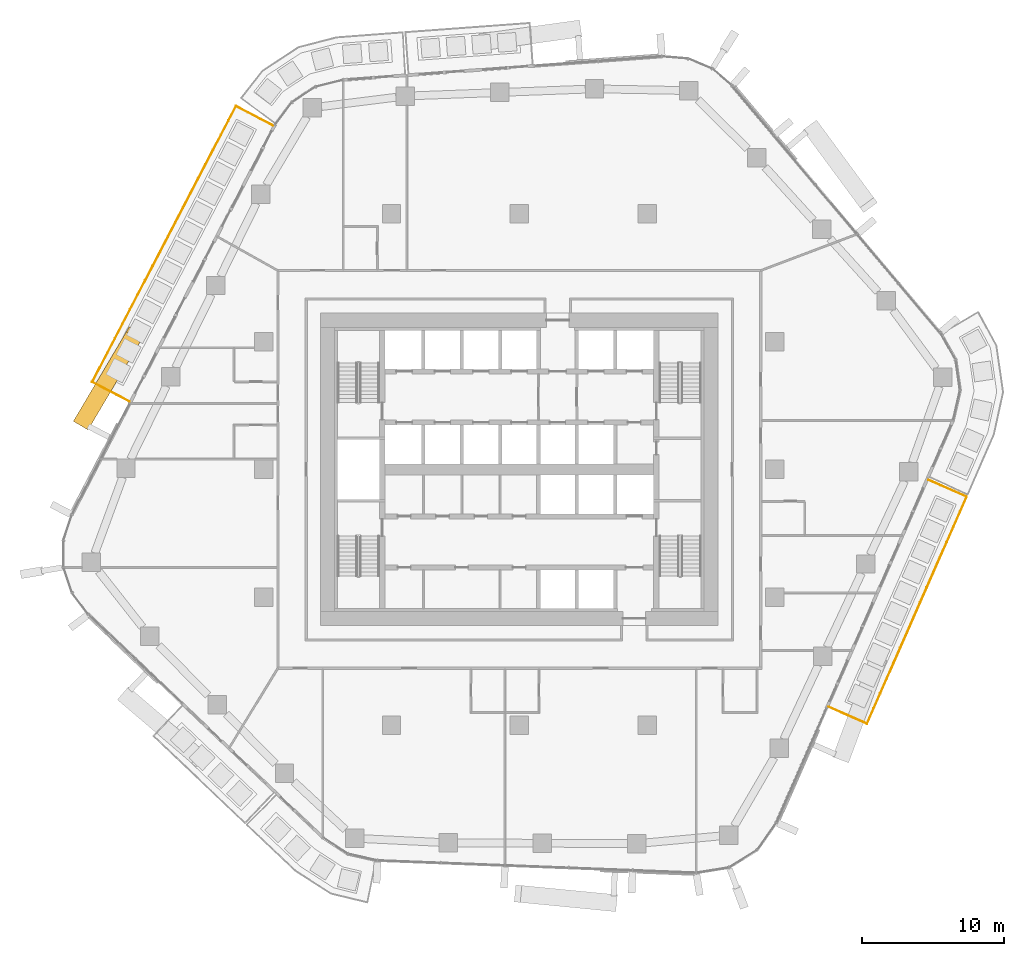
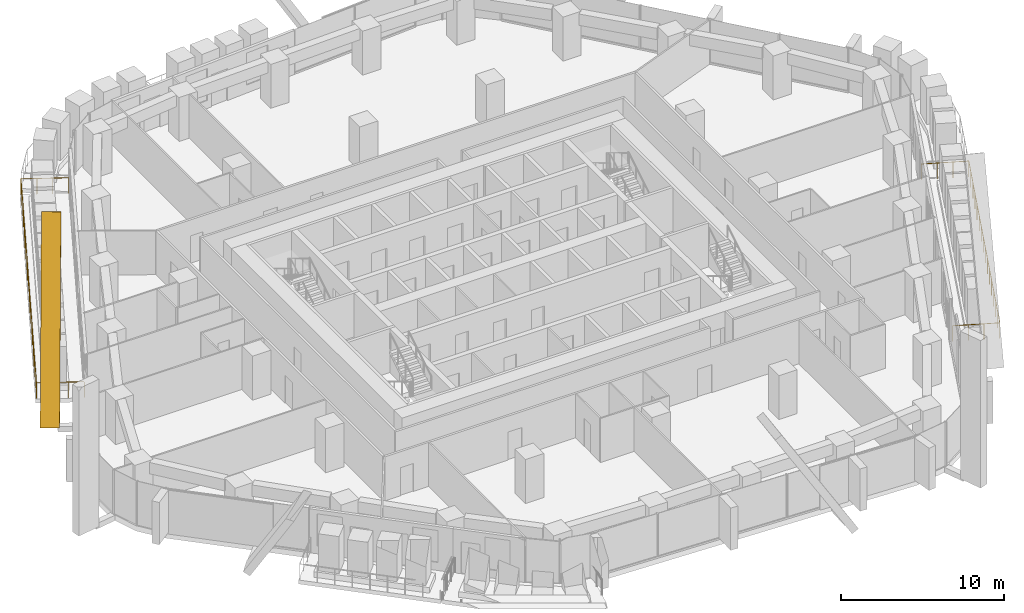
# One storey, part 21 of 24: 2 railings, 1 covering, 1 element without a shape of its own.
"""IFC4 building model written with IfcOpenShell, lengths in metres."""

from ifc_helpers import new_model, si_unit, direction, frame, origin, origin_2d, place, context, subcontext, project, spatial, rectangle, circle, extrude, material, layer, layer_set, material_profile, profile_set, type_object, element, aggregate, save


model = new_model("IFC4")

# Units and contexts
model_context = context("Model", 3, precision=1e-05, world=origin(), true_north=direction((0.0, 1.0)))
body_context = subcontext(model_context, "Body", "Model", "MODEL_VIEW")
ifc_project = project(units=[si_unit("LENGTHUNIT", "METRE"), si_unit("AREAUNIT", "SQUARE_METRE"), si_unit("VOLUMEUNIT", "CUBIC_METRE"), si_unit("PLANEANGLEUNIT", "RADIAN"), si_unit("MASSUNIT", "GRAM", prefix="KILO")], contexts=[model_context])

# Site, building, storey
site_placement = place(None, origin())
site = spatial("IfcSite", under=ifc_project, at=site_placement, CompositionType="ELEMENT")
building_placement = place(site_placement, origin())
building = spatial("IfcBuilding", under=site, at=building_placement, Name="Dongbaek Canopy Tower", CompositionType="ELEMENT")
storey_placement = place(building_placement, frame((0.0, 0.0, 128.5)))
storey = spatial("IfcBuildingStorey", under=building, at=storey_placement, Name="L28", CompositionType="ELEMENT", Elevation=128.5)

# Railings
ifc_material_1 = material(Name="Stainless steel", Category="steel")
railing_type = type_object("IfcRailingType", Name="Balcony balustrade 1200", PredefinedType="BALUSTRADE", material=ifc_material_1)
railing_1_placement = place(storey_placement, frame((-17.345703125, 24.2158203125, 0.0)))
element("IfcRailing", 1, at=railing_1_placement, inside=storey, type_object=railing_type, Name="Balcony guard L28 2", PredefinedType="BALUSTRADE", context=body_context, shape_type="SweptSolid", body=[
    extrude(circle(Radius=0.02392578125, at=origin_2d()), frame((0.0, 0.0, 1.17578125), z_axis=(-0.886948811546, 0.46186773615, 0.0), x_axis=(-0.46186773615, -0.886948811546, 0.0)), (0.0, 0.0, 1.0), 2.93994140625),
    extrude(circle(Radius=0.02392578125, at=origin_2d()), frame((-2.607666015625, 1.35791015625, 1.17578125), z_axis=(-0.461907199469, -0.88692826039, 0.0), x_axis=(0.88692826039, -0.461907199469, 0.0)), (0.0, 0.0, 1.0), 21.9013671875),
    extrude(circle(Radius=0.02392578125, at=origin_2d()), frame((-12.72412109375, -18.067138671875, 1.17578125), z_axis=(0.886948811546, -0.46186773615, 0.0), x_axis=(0.46186773615, 0.886948811546, 0.0)), (0.0, 0.0, 1.0), 2.93994140625),
    extrude(circle(Radius=0.02099609375, at=origin_2d()), origin(), (0.0, 0.0, 1.0), 1.15185546875),
    extrude(circle(Radius=0.02099609375, at=origin_2d()), frame((-0.869140625, 0.45263671875, 0.0)), (0.0, 0.0, 1.0), 1.15185546875),
    extrude(circle(Radius=0.02099609375, at=origin_2d()), frame((-1.738525390625, 0.9052734375, 0.0)), (0.0, 0.0, 1.0), 1.15185546875),
    extrude(circle(Radius=0.02099609375, at=origin_2d()), frame((-2.607666015625, 1.35791015625, 0.0)), (0.0, 0.0, 1.0), 1.15185546875),
    extrude(circle(Radius=0.02099609375, at=origin_2d()), frame((-3.14013671875, 0.33544921875, 0.0)), (0.0, 0.0, 1.0), 1.15185546875),
    extrude(circle(Radius=0.02099609375, at=origin_2d()), frame((-3.672607421875, -0.686767578125, 0.0)), (0.0, 0.0, 1.0), 1.15185546875),
    extrude(circle(Radius=0.02099609375, at=origin_2d()), frame((-4.205078125, -1.709228515625, 0.0)), (0.0, 0.0, 1.0), 1.15185546875),
    extrude(circle(Radius=0.02099609375, at=origin_2d()), frame((-4.737548828125, -2.731689453125, 0.0)), (0.0, 0.0, 1.0), 1.15185546875),
    extrude(circle(Radius=0.02099609375, at=origin_2d()), frame((-5.269775390625, -3.75390625, 0.0)), (0.0, 0.0, 1.0), 1.15185546875),
    extrude(circle(Radius=0.02099609375, at=origin_2d()), frame((-5.80224609375, -4.7763671875, 0.0)), (0.0, 0.0, 1.0), 1.15185546875),
    extrude(circle(Radius=0.02099609375, at=origin_2d()), frame((-6.334716796875, -5.798583984375, 0.0)), (0.0, 0.0, 1.0), 1.15185546875),
    extrude(circle(Radius=0.02099609375, at=origin_2d()), frame((-6.8671875, -6.821044921875, 0.0)), (0.0, 0.0, 1.0), 1.15185546875),
    extrude(circle(Radius=0.02099609375, at=origin_2d()), frame((-7.399658203125, -7.843505859375, 0.0)), (0.0, 0.0, 1.0), 1.15185546875),
    extrude(circle(Radius=0.02099609375, at=origin_2d()), frame((-7.93212890625, -8.86572265625, 0.0)), (0.0, 0.0, 1.0), 1.15185546875),
    extrude(circle(Radius=0.02099609375, at=origin_2d()), frame((-8.464599609375, -9.88818359375, 0.0)), (0.0, 0.0, 1.0), 1.15185546875),
    extrude(circle(Radius=0.02099609375, at=origin_2d()), frame((-8.9970703125, -10.91064453125, 0.0)), (0.0, 0.0, 1.0), 1.15185546875),
    extrude(circle(Radius=0.02099609375, at=origin_2d()), frame((-9.529541015625, -11.932861328125, 0.0)), (0.0, 0.0, 1.0), 1.15185546875),
    extrude(circle(Radius=0.02099609375, at=origin_2d()), frame((-10.06201171875, -12.955322265625, 0.0)), (0.0, 0.0, 1.0), 1.15185546875),
    extrude(circle(Radius=0.02099609375, at=origin_2d()), frame((-10.59423828125, -13.9775390625, 0.0)), (0.0, 0.0, 1.0), 1.15185546875),
    extrude(circle(Radius=0.02099609375, at=origin_2d()), frame((-11.126708984375, -15.0, 0.0)), (0.0, 0.0, 1.0), 1.15185546875),
    extrude(circle(Radius=0.02099609375, at=origin_2d()), frame((-11.6591796875, -16.0224609375, 0.0)), (0.0, 0.0, 1.0), 1.15185546875),
    extrude(circle(Radius=0.02099609375, at=origin_2d()), frame((-12.191650390625, -17.044677734375, 0.0)), (0.0, 0.0, 1.0), 1.15185546875),
    extrude(circle(Radius=0.02099609375, at=origin_2d()), frame((-12.72412109375, -18.067138671875, 0.0)), (0.0, 0.0, 1.0), 1.15185546875),
    extrude(circle(Radius=0.02099609375, at=origin_2d()), frame((-11.85498046875, -18.519775390625, 0.0)), (0.0, 0.0, 1.0), 1.15185546875),
    extrude(circle(Radius=0.02099609375, at=origin_2d()), frame((-10.985595703125, -18.972412109375, 0.0)), (0.0, 0.0, 1.0), 1.15185546875),
    extrude(circle(Radius=0.02099609375, at=origin_2d()), frame((-10.116455078125, -19.425048828125, 0.0)), (0.0, 0.0, 1.0), 1.15185546875),
])
railing_2_placement = place(storey_placement, frame((21.7861328125, -16.722900390625, 0.0)))
element("IfcRailing", 2, at=railing_2_placement, inside=storey, type_object=railing_type, Name="Balcony guard L28 4", PredefinedType="BALUSTRADE", context=body_context, shape_type="SweptSolid", body=[
    extrude(circle(Radius=0.02392578125, at=origin_2d()), frame((0.0, 0.0, 1.17578125), z_axis=(0.915573195836, -0.402151368351, 0.0), x_axis=(0.402151368351, 0.915573195836, 0.0)), (0.0, 0.0, 1.0), 2.940185546875),
    extrude(circle(Radius=0.02392578125, at=origin_2d()), frame((2.69189453125, -1.182373046875, 1.17578125), z_axis=(0.40217565737, 0.915562526876, 0.0), x_axis=(-0.915562526876, 0.40217565737, 0.0)), (0.0, 0.0, 1.0), 17.45703125),
    extrude(circle(Radius=0.02392578125, at=origin_2d()), frame((9.712646484375, 14.800537109375, 1.17578125), z_axis=(-0.915573195836, 0.402151368351, 0.0), x_axis=(-0.402151368351, -0.915573195836, 0.0)), (0.0, 0.0, 1.0), 2.940185546875),
    extrude(circle(Radius=0.02099609375, at=origin_2d()), origin(), (0.0, 0.0, 1.0), 1.15185546875),
    extrude(circle(Radius=0.02099609375, at=origin_2d()), frame((0.897216796875, -0.39404296875, 0.0)), (0.0, 0.0, 1.0), 1.15185546875),
    extrude(circle(Radius=0.02099609375, at=origin_2d()), frame((1.794677734375, -0.788330078125, 0.0)), (0.0, 0.0, 1.0), 1.15185546875),
    extrude(circle(Radius=0.02099609375, at=origin_2d()), frame((2.69189453125, -1.182373046875, 0.0)), (0.0, 0.0, 1.0), 1.15185546875),
    extrude(circle(Radius=0.02099609375, at=origin_2d()), frame((3.159912109375, -0.116943359375, 0.0)), (0.0, 0.0, 1.0), 1.15185546875),
    extrude(circle(Radius=0.02099609375, at=origin_2d()), frame((3.6279296875, 0.94873046875, 0.0)), (0.0, 0.0, 1.0), 1.15185546875),
    extrude(circle(Radius=0.02099609375, at=origin_2d()), frame((4.095947265625, 2.01416015625, 0.0)), (0.0, 0.0, 1.0), 1.15185546875),
    extrude(circle(Radius=0.02099609375, at=origin_2d()), frame((4.564208984375, 3.079833984375, 0.0)), (0.0, 0.0, 1.0), 1.15185546875),
    extrude(circle(Radius=0.02099609375, at=origin_2d()), frame((5.0322265625, 4.145263671875, 0.0)), (0.0, 0.0, 1.0), 1.15185546875),
    extrude(circle(Radius=0.02099609375, at=origin_2d()), frame((5.500244140625, 5.210693359375, 0.0)), (0.0, 0.0, 1.0), 1.15185546875),
    extrude(circle(Radius=0.02099609375, at=origin_2d()), frame((5.96826171875, 6.2763671875, 0.0)), (0.0, 0.0, 1.0), 1.15185546875),
    extrude(circle(Radius=0.02099609375, at=origin_2d()), frame((6.436279296875, 7.341796875, 0.0)), (0.0, 0.0, 1.0), 1.15185546875),
    extrude(circle(Radius=0.02099609375, at=origin_2d()), frame((6.904296875, 8.407470703125, 0.0)), (0.0, 0.0, 1.0), 1.15185546875),
    extrude(circle(Radius=0.02099609375, at=origin_2d()), frame((7.372314453125, 9.472900390625, 0.0)), (0.0, 0.0, 1.0), 1.15185546875),
    extrude(circle(Radius=0.02099609375, at=origin_2d()), frame((7.84033203125, 10.538330078125, 0.0)), (0.0, 0.0, 1.0), 1.15185546875),
    extrude(circle(Radius=0.02099609375, at=origin_2d()), frame((8.30859375, 11.60400390625, 0.0)), (0.0, 0.0, 1.0), 1.15185546875),
    extrude(circle(Radius=0.02099609375, at=origin_2d()), frame((8.776611328125, 12.66943359375, 0.0)), (0.0, 0.0, 1.0), 1.15185546875),
    extrude(circle(Radius=0.02099609375, at=origin_2d()), frame((9.24462890625, 13.735107421875, 0.0)), (0.0, 0.0, 1.0), 1.15185546875),
    extrude(circle(Radius=0.02099609375, at=origin_2d()), frame((9.712646484375, 14.800537109375, 0.0)), (0.0, 0.0, 1.0), 1.15185546875),
    extrude(circle(Radius=0.02099609375, at=origin_2d()), frame((8.8154296875, 15.194580078125, 0.0)), (0.0, 0.0, 1.0), 1.15185546875),
    extrude(circle(Radius=0.02099609375, at=origin_2d()), frame((7.91796875, 15.5888671875, 0.0)), (0.0, 0.0, 1.0), 1.15185546875),
    extrude(circle(Radius=0.02099609375, at=origin_2d()), frame((7.020751953125, 15.98291015625, 0.0)), (0.0, 0.0, 1.0), 1.15185546875),
])

# Curtain wall, covering
ifc_material_2 = material(Name="Aluminium 6063-T6 pale anodised", Category="aluminium")
ifc_layer = layer(ifc_material_2, 0.199951171875)
ifc_layer_set = layer_set([ifc_layer], Name="CW-1 unitised tower curtain wall")
curtain_wall_type = type_object("IfcCurtainWallType", Name="CW-1 unitised tower curtain wall", PredefinedType="NOTDEFINED", material=ifc_layer_set)
curtain_wall_placement = place(storey_placement, origin())
curtain_wall = element("IfcCurtainWall", 3, at=curtain_wall_placement, inside=storey, type_object=curtain_wall_type, Name="CW-1 curtain wall F2.1", PredefinedType="NOTDEFINED")
ifc_material_3 = material(Name="Aluminium 6063-T6 pale metal fin", Category="aluminium")
ifc_material_profile = material_profile(ifc_material_3, rectangle(XDim=1.199951171875, YDim=0.5, at=origin_2d()), Name="Crease fin CF1 500 x 1200 pale metal")
ifc_profile_set = profile_set([ifc_material_profile], Name="Aluminium 6063-T6 pale metal fin")
covering_type = type_object("IfcCoveringType", Name="Crease fin CF1 500 x 1200 pale metal", PredefinedType="CLADDING", material=ifc_profile_set)
covering_placement = place(storey_placement, frame((-30.777099609375, 3.26806640625, -0.199951171875), z_axis=(0.28068630079, 0.474130776596, 0.834514953271), x_axis=(-0.860514396449, 0.509426121733, 0.0)))
covering = element("IfcCovering", 4, at=covering_placement, type_object=covering_type, Name="Crease fin L28 L31 F2", PredefinedType="CLADDING", context=body_context, shape_type="SweptSolid", body=[
    extrude(rectangle(XDim=1.199951171875, YDim=0.5, at=origin_2d()), origin(), (0.0, 0.0, 1.0), 13.301025390625),
])
aggregate(curtain_wall, [covering])

save(model, "model.ifc")
